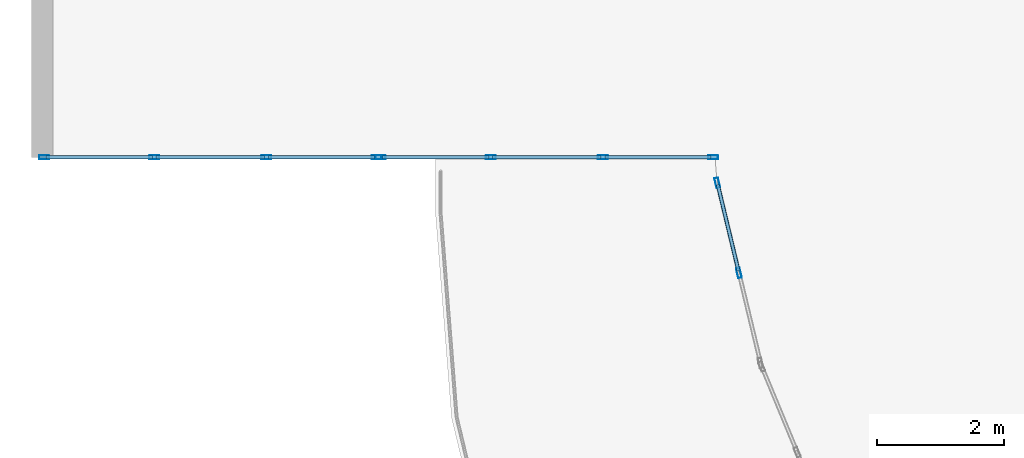
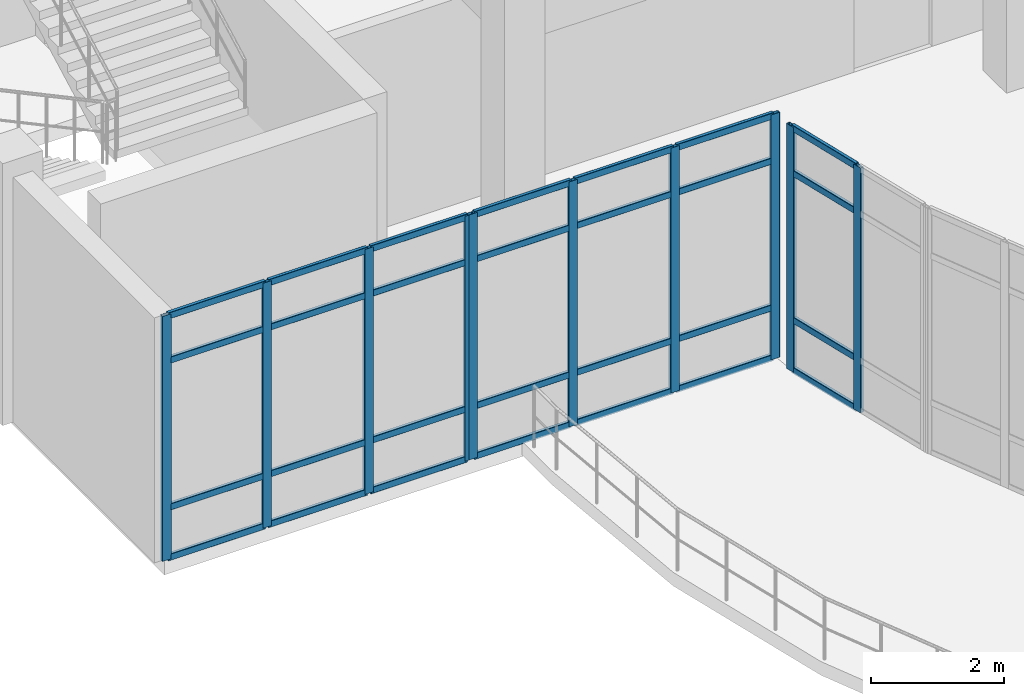
# One storey, part 5 of 76: 38 members, 3 elements without a shape of their own.
"""IFC4 building model written with IfcOpenShell, lengths in metres."""

import ifcopenshell
import ifcopenshell.guid

model = None  # the IFC model being written
_history = None  # IfcOwnerHistory: only IFC2X3 demands one
_inside = {}  # id of a spatial element -> (the spatial element, [elements in it])
_under = {}  # id of a project, library or spatial element -> (it, [spatial elements below it])
_declared = {}  # id of a project -> (the project, [libraries it declares])
_typed = {}  # id of a type object -> (the type object, [elements of that type])
_made_of = {}  # id of a material, layer set ... -> (it, [elements and type objects made of it])


def new_model(schema):
    """Start an empty IFC model of exactly this schema.

    Asked for "IFC4X3", IfcOpenShell would pick the latest addendum, in which some entities
    have other attributes; the version numbers below select the first issue.
    IFC2X3 requires an IfcOwnerHistory on every rooted entity: one is made here for all.
    """
    global model, _history
    if schema == "IFC4X3":
        model = ifcopenshell.file(schema_version=(4, 3, 0, 0))
    else:
        model = ifcopenshell.file(schema=schema)
    _inside.clear()
    _under.clear()
    _declared.clear()
    _typed.clear()
    _made_of.clear()
    _history = None
    if model.schema == "IFC2X3":
        org = make("IfcOrganization", Name="unknown")
        user = make(
            "IfcPersonAndOrganization",
            ThePerson=make("IfcPerson", FamilyName="unknown"),
            TheOrganization=org,
        )
        app = make(
            "IfcApplication",
            ApplicationDeveloper=org,
            Version="unknown",
            ApplicationFullName="unknown",
            ApplicationIdentifier="unknown",
        )
        _history = make(
            "IfcOwnerHistory",
            OwningUser=user,
            OwningApplication=app,
            ChangeAction="ADDED",
            CreationDate=0,
        )
    return model


def make(cls, **values):
    """One entity of the class cls with the attributes given. An attribute that is None is left unset."""
    return model.create_entity(
        cls, **{name: value for name, value in values.items() if value is not None}
    )


def rooted(cls, **values):
    """An entity with a GlobalId (a new one), such as an element, a storey or a relation."""
    return make(cls, GlobalId=ifcopenshell.guid.new(), OwnerHistory=_history, **values)


def si_unit(unit_type, name, prefix=None):
    """IfcSIUnit, for example si_unit("LENGTHUNIT", "METRE", prefix="MILLI")."""
    return make("IfcSIUnit", UnitType=unit_type, Prefix=prefix, Name=name)


def derived_unit(unit_type, elements):
    """IfcDerivedUnit: a product of units, each with its exponent."""
    return make(
        "IfcDerivedUnit",
        Elements=[
            make("IfcDerivedUnitElement", Unit=unit, Exponent=power)
            for unit, power in elements
        ],
        UnitType=unit_type,
    )


def assignment(units):
    """IfcUnitAssignment: the units of a project."""
    return None if units is None else make("IfcUnitAssignment", Units=units)


def point(xyz):
    """IfcCartesianPoint."""
    return None if xyz is None else make("IfcCartesianPoint", Coordinates=xyz)


def direction(xyz):
    """IfcDirection."""
    return None if xyz is None else make("IfcDirection", DirectionRatios=xyz)


def frame(location, z_axis=None, x_axis=None):
    """IfcAxis2Placement3D, a coordinate frame: its origin and axes. An axis left out is left unset."""
    return make(
        "IfcAxis2Placement3D",
        Location=point(location),
        Axis=direction(z_axis),
        RefDirection=direction(x_axis),
    )


def frame_2d(location, x_axis=None):
    """IfcAxis2Placement2D, a coordinate frame in the plane: its origin and x axis."""
    return make(
        "IfcAxis2Placement2D", Location=point(location), RefDirection=direction(x_axis)
    )


def origin():
    """The frame at (0, 0, 0) with its axes left unset."""
    return frame((0.0, 0.0, 0.0))


def origin_2d():
    """The frame at (0, 0) in the plane with its x axis left unset."""
    return frame_2d((0.0, 0.0))


def place(relative_to, where):
    """IfcLocalPlacement: puts the frame where relative to a parent placement (None: the world)."""
    return make(
        "IfcLocalPlacement", PlacementRelTo=relative_to, RelativePlacement=where
    )


def context(
    kind, dimensions, precision=None, world=None, true_north=None, identifier=None
):
    """IfcGeometricRepresentationContext, for example the 3D "Model" context."""
    return make(
        "IfcGeometricRepresentationContext",
        ContextIdentifier=identifier,
        ContextType=kind,
        CoordinateSpaceDimension=dimensions,
        Precision=precision,
        WorldCoordinateSystem=world,
        TrueNorth=true_north,
    )


def subcontext(parent, identifier, kind, view, scale=None):
    """IfcGeometricRepresentationSubContext, for example "Body" below "Model"."""
    return make(
        "IfcGeometricRepresentationSubContext",
        ContextIdentifier=identifier,
        ContextType=kind,
        ParentContext=parent,
        TargetScale=scale,
        TargetView=view,
    )


def project(units=None, contexts=None):
    """IfcProject with its units and contexts."""
    return rooted(
        "IfcProject",
        Name="project",
        RepresentationContexts=contexts,
        UnitsInContext=assignment(units),
    )


def spatial(cls, under=None, at=None, **own):
    """A site, building, storey or space (cls), placed at a placement, below another one or the project."""
    s = rooted(cls, ObjectPlacement=at, **own)
    if under is not None:
        _under.setdefault(under.id(), (under, []))[1].append(s)
    return s


def profile(cls, at=None, kind="AREA", **sizes):
    """A parametric profile (cls). Its sizes go by their IFC names, for example OverallWidth=200.0."""
    return make(cls, ProfileType=kind, Position=at, **sizes)


def hollow_rectangle(**sizes):
    """IfcRectangleHollowProfileDef."""
    return profile("IfcRectangleHollowProfileDef", **sizes)


def extrude(swept, where, along, depth):
    """IfcExtrudedAreaSolid: the profile swept, set in the frame where, extruded along a direction by depth."""
    return make(
        "IfcExtrudedAreaSolid",
        SweptArea=swept,
        Position=where,
        ExtrudedDirection=direction(along),
        Depth=depth,
    )


def shape(context_of_items, identifier, shape_type, items):
    """IfcShapeRepresentation: the items that make up one representation, for example the "Body"."""
    return make(
        "IfcShapeRepresentation",
        ContextOfItems=context_of_items,
        RepresentationIdentifier=identifier,
        RepresentationType=shape_type,
        Items=items,
    )


def material(Name=None, Category=None):
    """IfcMaterial."""
    return make("IfcMaterial", Name=Name, Category=Category)


def layer(
    of_material, thickness, ventilated=None, Name=None, Category=None, Priority=None
):
    """IfcMaterialLayer: one layer of a wall or slab, of a material (None: an air gap)."""
    return make(
        "IfcMaterialLayer",
        Material=of_material,
        LayerThickness=thickness,
        IsVentilated=ventilated,
        Name=Name,
        Category=Category,
        Priority=Priority,
    )


def layer_set(layers, Name=None):
    """IfcMaterialLayerSet."""
    return make("IfcMaterialLayerSet", MaterialLayers=layers, LayerSetName=Name)


def material_profile(
    of_material, cross_section, Name=None, Category=None, Priority=None
):
    """IfcMaterialProfile: a cross section and its material."""
    return make(
        "IfcMaterialProfile",
        Name=Name,
        Material=of_material,
        Profile=cross_section,
        Priority=Priority,
        Category=Category,
    )


def profile_set(profiles, Name=None, composite=None):
    """IfcMaterialProfileSet."""
    return make(
        "IfcMaterialProfileSet",
        Name=Name,
        MaterialProfiles=profiles,
        CompositeProfile=composite,
    )


def made_of(thing, what):
    """Note that an element or type object is made of a material, layer set ...; save() writes the relation."""
    if what is not None:
        _made_of.setdefault(what.id(), (what, []))[1].append(thing)
    return thing


def type_object(cls, material=None, **own):
    """A type object (cls), such as IfcWallType, which elements share."""
    return made_of(rooted(cls, **own), material)


def element(
    cls,
    number,
    at=None,
    inside=None,
    cuts=None,
    type_object=None,
    material=None,
    context=None,
    identifier="Body",
    shape_type=None,
    held_by="IfcProductDefinitionShape",
    body=None,
    shapes=None,
    **own,
):
    """One element of the class cls, such as IfcWall. Its Tag is "e" and its number.

    at: its placement. inside: the storey or other place that contains it. cuts: it is an
    opening in that element (IfcRelVoidsElement). A single representation is given by context,
    identifier, shape_type and body (its items); several are given by shapes. held_by: the class
    of the entity that holds the representations. save() writes the other relations.
    """
    e = rooted(cls, Tag="e%d" % number, ObjectPlacement=at, **own)
    if body is not None:
        shapes = [shape(context, identifier, shape_type, body)]
    if shapes is not None:
        e.Representation = make(held_by, Representations=shapes)
    if inside is not None:
        _inside.setdefault(inside.id(), (inside, []))[1].append(e)
    if cuts is not None:
        rooted(
            "IfcRelVoidsElement", RelatingBuildingElement=cuts, RelatedOpeningElement=e
        )
    if type_object is not None:
        _typed.setdefault(type_object.id(), (type_object, []))[1].append(e)
    return made_of(e, material)


def aggregate(whole, parts):
    """IfcRelAggregates: a whole, such as a stair, and the parts it consists of."""
    return rooted("IfcRelAggregates", RelatingObject=whole, RelatedObjects=parts)


def save(model, path):
    """Write the relations noted so far, then the file.

    IfcRelAggregates (storeys below a building ...), IfcRelContainedInSpatialStructure (elements
    in a storey), IfcRelDefinesByType, IfcRelAssociatesMaterial and IfcRelDeclares: one each for
    every whole, place, type object, material and project.
    """
    for whole, parts in _under.values():
        aggregate(whole, parts)
    for where, things in _inside.values():
        rooted(
            "IfcRelContainedInSpatialStructure",
            RelatedElements=things,
            RelatingStructure=where,
        )
    for kind, things in _typed.values():
        rooted("IfcRelDefinesByType", RelatedObjects=things, RelatingType=kind)
    for what, things in _made_of.values():
        rooted("IfcRelAssociatesMaterial", RelatedObjects=things, RelatingMaterial=what)
    for by, libraries in _declared.values():
        rooted("IfcRelDeclares", RelatingContext=by, RelatedDefinitions=libraries)
    model.write(path)


model = new_model("IFC4")

# Units and contexts
model_context = context("Model", 3, precision=1e-05, world=origin(), true_north=direction((0.0, 1.0)))
body_context = subcontext(model_context, "Body", "Model", "MODEL_VIEW")
ifc_project = project(units=[si_unit("LENGTHUNIT", "METRE"), si_unit("AREAUNIT", "SQUARE_METRE"), si_unit("VOLUMEUNIT", "CUBIC_METRE"), si_unit("PLANEANGLEUNIT", "RADIAN"), si_unit("MASSUNIT", "GRAM", prefix="KILO"), derived_unit("THERMALTRANSMITTANCEUNIT", [(si_unit("MASSUNIT", "GRAM", prefix="KILO"), 1), (si_unit("TIMEUNIT", "SECOND"), -3), (si_unit("THERMODYNAMICTEMPERATUREUNIT", "KELVIN"), -1)])], contexts=[model_context])

# Site, building, storey
site_placement = place(None, origin())
site = spatial("IfcSite", under=ifc_project, at=site_placement, CompositionType="ELEMENT")
building_placement = place(site_placement, origin())
building = spatial("IfcBuilding", under=site, at=building_placement, Name="Qinzheling Arcade Emporium", CompositionType="ELEMENT")
storey_placement = place(building_placement, frame((0.0, 0.0, 26.699951171875)))
storey = spatial("IfcBuildingStorey", under=building, at=storey_placement, Name="L06", CompositionType="ELEMENT", Elevation=26.699951171875)

# Curtain wall, members
ifc_material_1 = material(Name="Anodised aluminium and solar-control double glazing", Category="aluminium")
ifc_layer_1 = layer(ifc_material_1, 0.159912109375, Name="Anodised aluminium and solar-control double glazing", Category="aluminium")
ifc_layer_set_1 = layer_set([ifc_layer_1], Name="Anodised aluminium and solar-control double glazing")
curtain_wall_type_1 = type_object("IfcCurtainWallType", Name="Curved Ribbon Sales Curtain Wall", PredefinedType="NOTDEFINED", material=ifc_layer_set_1)
curtain_wall_1_placement = place(storey_placement, origin())
curtain_wall_1 = element("IfcCurtainWall", 1, at=curtain_wall_1_placement, inside=storey, type_object=curtain_wall_type_1, Name="Curtain Wall CW-L06-358", PredefinedType="NOTDEFINED")
ifc_material_2 = material(Name="Anodised aluminium 6063-T6", Category="aluminium")
ifc_material_profile_1 = material_profile(ifc_material_2, hollow_rectangle(XDim=0.06005859375, YDim=0.159912109375, WallThickness=0.00390625, InnerFilletRadius=0.00390625, OuterFilletRadius=0.008056640625, at=origin_2d()), Name="RHS 160x60x4", Category="aluminium")
ifc_profile_set_1 = profile_set([ifc_material_profile_1], Name="Anodised aluminium 6063-T6")
member_type_1 = type_object("IfcMemberType", Name="Curtain Wall Mullion RHS160x60", PredefinedType="MULLION", material=ifc_profile_set_1)
member_1_placement = place(storey_placement, frame((10.98193359375, 27.178466796875, 0.0), z_axis=(0.0, 0.0, 1.0), x_axis=(-0.972369031298, -0.233449067193, 0.0)))
member_1 = element("IfcMember", 2, at=member_1_placement, type_object=member_type_1, Name="CW02 mullion 2", PredefinedType="MULLION", context=body_context, shape_type="SweptSolid", body=[
    extrude(hollow_rectangle(XDim=0.06005859375, YDim=0.159912109375, WallThickness=0.00390625, InnerFilletRadius=0.00390625, OuterFilletRadius=0.008056640625, at=origin_2d()), origin(), (0.0, 0.0, 1.0), 4.489990234375),
])
member_2_placement = place(storey_placement, frame((10.64111328125, 28.598876953125, 0.0), z_axis=(0.0, 0.0, 1.0), x_axis=(-0.972369031298, -0.233449067193, 0.0)))
member_2 = element("IfcMember", 3, at=member_2_placement, type_object=member_type_1, Name="CW02 mullion 3", PredefinedType="MULLION", context=body_context, shape_type="SweptSolid", body=[
    extrude(hollow_rectangle(XDim=0.06005859375, YDim=0.159912109375, WallThickness=0.00390625, InnerFilletRadius=0.00390625, OuterFilletRadius=0.008056640625, at=origin_2d()), origin(), (0.0, 0.0, 1.0), 4.489990234375),
])

ifc_layer_2 = layer(ifc_material_1, 0.159912109375, Name="Anodised aluminium and solar-control double glazing", Category="aluminium")
ifc_layer_set_2 = layer_set([ifc_layer_2], Name="Anodised aluminium and solar-control double glazing")
curtain_wall_type_2 = type_object("IfcCurtainWallType", Name="Arcade Portal Glazed Curtain Wall", PredefinedType="NOTDEFINED", material=ifc_layer_set_2)
curtain_wall_2_placement = place(storey_placement, origin())
curtain_wall_2 = element("IfcCurtainWall", 4, at=curtain_wall_2_placement, inside=storey, type_object=curtain_wall_type_2, Name="Curtain Wall CW-L06-359", PredefinedType="NOTDEFINED")
member_3_placement = place(storey_placement, frame((10.574951171875, 29.0, 0.0), z_axis=(0.0, 0.0, 1.0), x_axis=(0.0, -1.0, 0.0)))
member_3 = element("IfcMember", 5, at=member_3_placement, type_object=member_type_1, Name="CW05 mullion 1", PredefinedType="MULLION", context=body_context, shape_type="SweptSolid", body=[
    extrude(hollow_rectangle(XDim=0.06005859375, YDim=0.159912109375, WallThickness=0.00390625, InnerFilletRadius=0.00390625, OuterFilletRadius=0.008056640625, at=origin_2d()), origin(), (0.0, 0.0, 1.0), 4.489990234375),
])
member_4_placement = place(storey_placement, frame((8.837890625, 29.0, 0.0), z_axis=(0.0, 0.0, 1.0), x_axis=(0.0, -1.0, 0.0)))
member_4 = element("IfcMember", 6, at=member_4_placement, type_object=member_type_1, Name="CW05 mullion 2", PredefinedType="MULLION", context=body_context, shape_type="SweptSolid", body=[
    extrude(hollow_rectangle(XDim=0.06005859375, YDim=0.159912109375, WallThickness=0.00390625, InnerFilletRadius=0.00390625, OuterFilletRadius=0.008056640625, at=origin_2d()), origin(), (0.0, 0.0, 1.0), 4.489990234375),
])
member_5_placement = place(storey_placement, frame((7.071044921875, 29.0, 0.0), z_axis=(0.0, 0.0, 1.0), x_axis=(0.0, -1.0, 0.0)))
member_5 = element("IfcMember", 7, at=member_5_placement, type_object=member_type_1, Name="CW05 mullion 3", PredefinedType="MULLION", context=body_context, shape_type="SweptSolid", body=[
    extrude(hollow_rectangle(XDim=0.06005859375, YDim=0.159912109375, WallThickness=0.00390625, InnerFilletRadius=0.00390625, OuterFilletRadius=0.008056640625, at=origin_2d()), origin(), (0.0, 0.0, 1.0), 4.489990234375),
])
member_6_placement = place(storey_placement, frame((5.333984375, 29.0, 0.0), z_axis=(0.0, 0.0, 1.0), x_axis=(0.0, -1.0, 0.0)))
member_6 = element("IfcMember", 8, at=member_6_placement, type_object=member_type_1, Name="CW05 mullion 4", PredefinedType="MULLION", context=body_context, shape_type="SweptSolid", body=[
    extrude(hollow_rectangle(XDim=0.06005859375, YDim=0.159912109375, WallThickness=0.00390625, InnerFilletRadius=0.00390625, OuterFilletRadius=0.008056640625, at=origin_2d()), origin(), (0.0, 0.0, 1.0), 4.489990234375),
])

curtain_wall_3_placement = place(storey_placement, origin())
curtain_wall_3 = element("IfcCurtainWall", 9, at=curtain_wall_3_placement, inside=storey, type_object=curtain_wall_type_2, Name="Curtain Wall CW-L06-360", PredefinedType="NOTDEFINED")
member_7_placement = place(storey_placement, frame((5.27099609375, 29.0, 0.0), z_axis=(0.0, 0.0, 1.0), x_axis=(0.0, -1.0, 0.0)))
member_7 = element("IfcMember", 10, at=member_7_placement, type_object=member_type_1, Name="CW05 mullion 1", PredefinedType="MULLION", context=body_context, shape_type="SweptSolid", body=[
    extrude(hollow_rectangle(XDim=0.06005859375, YDim=0.159912109375, WallThickness=0.00390625, InnerFilletRadius=0.00390625, OuterFilletRadius=0.008056640625, at=origin_2d()), origin(), (0.0, 0.0, 1.0), 4.489990234375),
])
member_8_placement = place(storey_placement, frame((3.533935546875, 29.0, 0.0), z_axis=(0.0, 0.0, 1.0), x_axis=(0.0, -1.0, 0.0)))
member_8 = element("IfcMember", 11, at=member_8_placement, type_object=member_type_1, Name="CW05 mullion 2", PredefinedType="MULLION", context=body_context, shape_type="SweptSolid", body=[
    extrude(hollow_rectangle(XDim=0.06005859375, YDim=0.159912109375, WallThickness=0.00390625, InnerFilletRadius=0.00390625, OuterFilletRadius=0.008056640625, at=origin_2d()), origin(), (0.0, 0.0, 1.0), 4.489990234375),
])
member_9_placement = place(storey_placement, frame((1.76708984375, 29.0, 0.0), z_axis=(0.0, 0.0, 1.0), x_axis=(0.0, -1.0, 0.0)))
member_9 = element("IfcMember", 12, at=member_9_placement, type_object=member_type_1, Name="CW05 mullion 3", PredefinedType="MULLION", context=body_context, shape_type="SweptSolid", body=[
    extrude(hollow_rectangle(XDim=0.06005859375, YDim=0.159912109375, WallThickness=0.00390625, InnerFilletRadius=0.00390625, OuterFilletRadius=0.008056640625, at=origin_2d()), origin(), (0.0, 0.0, 1.0), 4.489990234375),
])
member_10_placement = place(storey_placement, frame((0.030029296875, 29.0, 0.0), z_axis=(0.0, 0.0, 1.0), x_axis=(0.0, -1.0, 0.0)))
member_10 = element("IfcMember", 13, at=member_10_placement, type_object=member_type_1, Name="CW05 mullion 4", PredefinedType="MULLION", context=body_context, shape_type="SweptSolid", body=[
    extrude(hollow_rectangle(XDim=0.06005859375, YDim=0.159912109375, WallThickness=0.00390625, InnerFilletRadius=0.00390625, OuterFilletRadius=0.008056640625, at=origin_2d()), origin(), (0.0, 0.0, 1.0), 4.489990234375),
])

# Member
ifc_material_profile_2 = material_profile(ifc_material_2, hollow_rectangle(XDim=0.06005859375, YDim=0.1201171875, WallThickness=0.00390625, InnerFilletRadius=0.00390625, OuterFilletRadius=0.008056640625, at=origin_2d()), Name="RHS 120x60x4", Category="aluminium")
ifc_profile_set_2 = profile_set([ifc_material_profile_2], Name="Anodised aluminium 6063-T6")
member_type_2 = type_object("IfcMemberType", Name="Curtain Wall Transom RHS120x60", PredefinedType="USERDEFINED", material=ifc_profile_set_2)
member_11_placement = place(storey_placement, frame((10.97509765625, 27.207763671875, 0.030029296875), z_axis=(-0.233583919882, 0.972336645598, 0.0), x_axis=(-0.972336645598, -0.233583919882, 0.0)))
member_11 = element("IfcMember", 14, at=member_11_placement, type_object=member_type_2, Name="CW02 transom 2.1", ObjectType="TRANSOM", PredefinedType="USERDEFINED", context=body_context, shape_type="SweptSolid", body=[
    extrude(hollow_rectangle(XDim=0.06005859375, YDim=0.1201171875, WallThickness=0.00390625, InnerFilletRadius=0.00390625, OuterFilletRadius=0.008056640625, at=origin_2d()), origin(), (0.0, 0.0, 1.0), 1.400634765625),
])

member_12_placement = place(storey_placement, frame((10.97509765625, 27.207763671875, 0.949951171875), z_axis=(-0.233583919882, 0.972336645598, 0.0), x_axis=(-0.972336645598, -0.233583919882, 0.0)))
member_12 = element("IfcMember", 15, at=member_12_placement, type_object=member_type_2, Name="CW02 transom 2.2", ObjectType="TRANSOM", PredefinedType="USERDEFINED", context=body_context, shape_type="SweptSolid", body=[
    extrude(hollow_rectangle(XDim=0.06005859375, YDim=0.1201171875, WallThickness=0.00390625, InnerFilletRadius=0.00390625, OuterFilletRadius=0.008056640625, at=origin_2d()), origin(), (0.0, 0.0, 1.0), 1.400634765625),
])

member_13_placement = place(storey_placement, frame((10.97509765625, 27.207763671875, 3.64013671875), z_axis=(-0.233583919882, 0.972336645598, 0.0), x_axis=(-0.972336645598, -0.233583919882, 0.0)))
member_13 = element("IfcMember", 16, at=member_13_placement, type_object=member_type_2, Name="CW02 transom 2.3", ObjectType="TRANSOM", PredefinedType="USERDEFINED", context=body_context, shape_type="SweptSolid", body=[
    extrude(hollow_rectangle(XDim=0.06005859375, YDim=0.1201171875, WallThickness=0.00390625, InnerFilletRadius=0.00390625, OuterFilletRadius=0.008056640625, at=origin_2d()), origin(), (0.0, 0.0, 1.0), 1.400634765625),
])

member_14_placement = place(storey_placement, frame((10.97509765625, 27.207763671875, 4.4599609375), z_axis=(-0.233583919882, 0.972336645598, 0.0), x_axis=(-0.972336645598, -0.233583919882, 0.0)))
member_14 = element("IfcMember", 17, at=member_14_placement, type_object=member_type_2, Name="CW02 transom 2.4", ObjectType="TRANSOM", PredefinedType="USERDEFINED", context=body_context, shape_type="SweptSolid", body=[
    extrude(hollow_rectangle(XDim=0.06005859375, YDim=0.1201171875, WallThickness=0.00390625, InnerFilletRadius=0.00390625, OuterFilletRadius=0.008056640625, at=origin_2d()), origin(), (0.0, 0.0, 1.0), 1.400634765625),
])

aggregate(curtain_wall_1, [member_1, member_2, member_11, member_12, member_13, member_14])

member_15_placement = place(storey_placement, frame((10.544921875, 29.0, 0.030029296875), z_axis=(-1.0, 0.0, 0.0), x_axis=(0.0, -1.0, 0.0)))
member_15 = element("IfcMember", 18, at=member_15_placement, type_object=member_type_2, Name="CW05 transom 1.1", ObjectType="TRANSOM", PredefinedType="USERDEFINED", context=body_context, shape_type="SweptSolid", body=[
    extrude(hollow_rectangle(XDim=0.06005859375, YDim=0.1201171875, WallThickness=0.00390625, InnerFilletRadius=0.00390625, OuterFilletRadius=0.008056640625, at=origin_2d()), origin(), (0.0, 0.0, 1.0), 1.677001953125),
])

member_16_placement = place(storey_placement, frame((10.544921875, 29.0, 0.949951171875), z_axis=(-1.0, 0.0, 0.0), x_axis=(0.0, -1.0, 0.0)))
member_16 = element("IfcMember", 19, at=member_16_placement, type_object=member_type_2, Name="CW05 transom 1.2", ObjectType="TRANSOM", PredefinedType="USERDEFINED", context=body_context, shape_type="SweptSolid", body=[
    extrude(hollow_rectangle(XDim=0.06005859375, YDim=0.1201171875, WallThickness=0.00390625, InnerFilletRadius=0.00390625, OuterFilletRadius=0.008056640625, at=origin_2d()), origin(), (0.0, 0.0, 1.0), 1.677001953125),
])

member_17_placement = place(storey_placement, frame((10.544921875, 29.0, 3.64013671875), z_axis=(-1.0, 0.0, 0.0), x_axis=(0.0, -1.0, 0.0)))
member_17 = element("IfcMember", 20, at=member_17_placement, type_object=member_type_2, Name="CW05 transom 1.3", ObjectType="TRANSOM", PredefinedType="USERDEFINED", context=body_context, shape_type="SweptSolid", body=[
    extrude(hollow_rectangle(XDim=0.06005859375, YDim=0.1201171875, WallThickness=0.00390625, InnerFilletRadius=0.00390625, OuterFilletRadius=0.008056640625, at=origin_2d()), origin(), (0.0, 0.0, 1.0), 1.677001953125),
])

member_18_placement = place(storey_placement, frame((10.544921875, 29.0, 4.4599609375), z_axis=(-1.0, 0.0, 0.0), x_axis=(0.0, -1.0, 0.0)))
member_18 = element("IfcMember", 21, at=member_18_placement, type_object=member_type_2, Name="CW05 transom 1.4", ObjectType="TRANSOM", PredefinedType="USERDEFINED", context=body_context, shape_type="SweptSolid", body=[
    extrude(hollow_rectangle(XDim=0.06005859375, YDim=0.1201171875, WallThickness=0.00390625, InnerFilletRadius=0.00390625, OuterFilletRadius=0.008056640625, at=origin_2d()), origin(), (0.0, 0.0, 1.0), 1.677001953125),
])

member_19_placement = place(storey_placement, frame((8.80810546875, 29.0, 0.030029296875), z_axis=(-1.0, 0.0, 0.0), x_axis=(0.0, -1.0, 0.0)))
member_19 = element("IfcMember", 22, at=member_19_placement, type_object=member_type_2, Name="CW05 transom 2.1", ObjectType="TRANSOM", PredefinedType="USERDEFINED", context=body_context, shape_type="SweptSolid", body=[
    extrude(hollow_rectangle(XDim=0.06005859375, YDim=0.1201171875, WallThickness=0.00390625, InnerFilletRadius=0.00390625, OuterFilletRadius=0.008056640625, at=origin_2d()), origin(), (0.0, 0.0, 1.0), 1.70703125),
])

member_20_placement = place(storey_placement, frame((8.80810546875, 29.0, 0.949951171875), z_axis=(-1.0, 0.0, 0.0), x_axis=(0.0, -1.0, 0.0)))
member_20 = element("IfcMember", 23, at=member_20_placement, type_object=member_type_2, Name="CW05 transom 2.2", ObjectType="TRANSOM", PredefinedType="USERDEFINED", context=body_context, shape_type="SweptSolid", body=[
    extrude(hollow_rectangle(XDim=0.06005859375, YDim=0.1201171875, WallThickness=0.00390625, InnerFilletRadius=0.00390625, OuterFilletRadius=0.008056640625, at=origin_2d()), origin(), (0.0, 0.0, 1.0), 1.70703125),
])

member_21_placement = place(storey_placement, frame((8.80810546875, 29.0, 3.64013671875), z_axis=(-1.0, 0.0, 0.0), x_axis=(0.0, -1.0, 0.0)))
member_21 = element("IfcMember", 24, at=member_21_placement, type_object=member_type_2, Name="CW05 transom 2.3", ObjectType="TRANSOM", PredefinedType="USERDEFINED", context=body_context, shape_type="SweptSolid", body=[
    extrude(hollow_rectangle(XDim=0.06005859375, YDim=0.1201171875, WallThickness=0.00390625, InnerFilletRadius=0.00390625, OuterFilletRadius=0.008056640625, at=origin_2d()), origin(), (0.0, 0.0, 1.0), 1.70703125),
])

member_22_placement = place(storey_placement, frame((8.80810546875, 29.0, 4.4599609375), z_axis=(-1.0, 0.0, 0.0), x_axis=(0.0, -1.0, 0.0)))
member_22 = element("IfcMember", 25, at=member_22_placement, type_object=member_type_2, Name="CW05 transom 2.4", ObjectType="TRANSOM", PredefinedType="USERDEFINED", context=body_context, shape_type="SweptSolid", body=[
    extrude(hollow_rectangle(XDim=0.06005859375, YDim=0.1201171875, WallThickness=0.00390625, InnerFilletRadius=0.00390625, OuterFilletRadius=0.008056640625, at=origin_2d()), origin(), (0.0, 0.0, 1.0), 1.70703125),
])

member_23_placement = place(storey_placement, frame((7.041015625, 29.0, 0.030029296875), z_axis=(-1.0, 0.0, 0.0), x_axis=(0.0, -1.0, 0.0)))
member_23 = element("IfcMember", 26, at=member_23_placement, type_object=member_type_2, Name="CW05 transom 3.1", ObjectType="TRANSOM", PredefinedType="USERDEFINED", context=body_context, shape_type="SweptSolid", body=[
    extrude(hollow_rectangle(XDim=0.06005859375, YDim=0.1201171875, WallThickness=0.00390625, InnerFilletRadius=0.00390625, OuterFilletRadius=0.008056640625, at=origin_2d()), origin(), (0.0, 0.0, 1.0), 1.677001953125),
])

member_24_placement = place(storey_placement, frame((7.041015625, 29.0, 0.949951171875), z_axis=(-1.0, 0.0, 0.0), x_axis=(0.0, -1.0, 0.0)))
member_24 = element("IfcMember", 27, at=member_24_placement, type_object=member_type_2, Name="CW05 transom 3.2", ObjectType="TRANSOM", PredefinedType="USERDEFINED", context=body_context, shape_type="SweptSolid", body=[
    extrude(hollow_rectangle(XDim=0.06005859375, YDim=0.1201171875, WallThickness=0.00390625, InnerFilletRadius=0.00390625, OuterFilletRadius=0.008056640625, at=origin_2d()), origin(), (0.0, 0.0, 1.0), 1.677001953125),
])

member_25_placement = place(storey_placement, frame((7.041015625, 29.0, 3.64013671875), z_axis=(-1.0, 0.0, 0.0), x_axis=(0.0, -1.0, 0.0)))
member_25 = element("IfcMember", 28, at=member_25_placement, type_object=member_type_2, Name="CW05 transom 3.3", ObjectType="TRANSOM", PredefinedType="USERDEFINED", context=body_context, shape_type="SweptSolid", body=[
    extrude(hollow_rectangle(XDim=0.06005859375, YDim=0.1201171875, WallThickness=0.00390625, InnerFilletRadius=0.00390625, OuterFilletRadius=0.008056640625, at=origin_2d()), origin(), (0.0, 0.0, 1.0), 1.677001953125),
])

member_26_placement = place(storey_placement, frame((7.041015625, 29.0, 4.4599609375), z_axis=(-1.0, 0.0, 0.0), x_axis=(0.0, -1.0, 0.0)))
member_26 = element("IfcMember", 29, at=member_26_placement, type_object=member_type_2, Name="CW05 transom 3.4", ObjectType="TRANSOM", PredefinedType="USERDEFINED", context=body_context, shape_type="SweptSolid", body=[
    extrude(hollow_rectangle(XDim=0.06005859375, YDim=0.1201171875, WallThickness=0.00390625, InnerFilletRadius=0.00390625, OuterFilletRadius=0.008056640625, at=origin_2d()), origin(), (0.0, 0.0, 1.0), 1.677001953125),
])

aggregate(curtain_wall_2, [member_3, member_4, member_5, member_6, member_15, member_16, member_17, member_18, member_19, member_20, member_21, member_22, member_23, member_24, member_25, member_26])

member_27_placement = place(storey_placement, frame((5.240966796875, 29.0, 0.030029296875), z_axis=(-1.0, 0.0, 0.0), x_axis=(0.0, -1.0, 0.0)))
member_27 = element("IfcMember", 30, at=member_27_placement, type_object=member_type_2, Name="CW05 transom 1.1", ObjectType="TRANSOM", PredefinedType="USERDEFINED", context=body_context, shape_type="SweptSolid", body=[
    extrude(hollow_rectangle(XDim=0.06005859375, YDim=0.1201171875, WallThickness=0.00390625, InnerFilletRadius=0.00390625, OuterFilletRadius=0.008056640625, at=origin_2d()), origin(), (0.0, 0.0, 1.0), 1.677001953125),
])

member_28_placement = place(storey_placement, frame((5.240966796875, 29.0, 0.949951171875), z_axis=(-1.0, 0.0, 0.0), x_axis=(0.0, -1.0, 0.0)))
member_28 = element("IfcMember", 31, at=member_28_placement, type_object=member_type_2, Name="CW05 transom 1.2", ObjectType="TRANSOM", PredefinedType="USERDEFINED", context=body_context, shape_type="SweptSolid", body=[
    extrude(hollow_rectangle(XDim=0.06005859375, YDim=0.1201171875, WallThickness=0.00390625, InnerFilletRadius=0.00390625, OuterFilletRadius=0.008056640625, at=origin_2d()), origin(), (0.0, 0.0, 1.0), 1.677001953125),
])

member_29_placement = place(storey_placement, frame((5.240966796875, 29.0, 3.64013671875), z_axis=(-1.0, 0.0, 0.0), x_axis=(0.0, -1.0, 0.0)))
member_29 = element("IfcMember", 32, at=member_29_placement, type_object=member_type_2, Name="CW05 transom 1.3", ObjectType="TRANSOM", PredefinedType="USERDEFINED", context=body_context, shape_type="SweptSolid", body=[
    extrude(hollow_rectangle(XDim=0.06005859375, YDim=0.1201171875, WallThickness=0.00390625, InnerFilletRadius=0.00390625, OuterFilletRadius=0.008056640625, at=origin_2d()), origin(), (0.0, 0.0, 1.0), 1.677001953125),
])

member_30_placement = place(storey_placement, frame((5.240966796875, 29.0, 4.4599609375), z_axis=(-1.0, 0.0, 0.0), x_axis=(0.0, -1.0, 0.0)))
member_30 = element("IfcMember", 33, at=member_30_placement, type_object=member_type_2, Name="CW05 transom 1.4", ObjectType="TRANSOM", PredefinedType="USERDEFINED", context=body_context, shape_type="SweptSolid", body=[
    extrude(hollow_rectangle(XDim=0.06005859375, YDim=0.1201171875, WallThickness=0.00390625, InnerFilletRadius=0.00390625, OuterFilletRadius=0.008056640625, at=origin_2d()), origin(), (0.0, 0.0, 1.0), 1.677001953125),
])

member_31_placement = place(storey_placement, frame((3.50390625, 29.0, 0.030029296875), z_axis=(-1.0, 0.0, 0.0), x_axis=(0.0, -1.0, 0.0)))
member_31 = element("IfcMember", 34, at=member_31_placement, type_object=member_type_2, Name="CW05 transom 2.1", ObjectType="TRANSOM", PredefinedType="USERDEFINED", context=body_context, shape_type="SweptSolid", body=[
    extrude(hollow_rectangle(XDim=0.06005859375, YDim=0.1201171875, WallThickness=0.00390625, InnerFilletRadius=0.00390625, OuterFilletRadius=0.008056640625, at=origin_2d()), origin(), (0.0, 0.0, 1.0), 1.706787109375),
])

member_32_placement = place(storey_placement, frame((3.50390625, 29.0, 0.949951171875), z_axis=(-1.0, 0.0, 0.0), x_axis=(0.0, -1.0, 0.0)))
member_32 = element("IfcMember", 35, at=member_32_placement, type_object=member_type_2, Name="CW05 transom 2.2", ObjectType="TRANSOM", PredefinedType="USERDEFINED", context=body_context, shape_type="SweptSolid", body=[
    extrude(hollow_rectangle(XDim=0.06005859375, YDim=0.1201171875, WallThickness=0.00390625, InnerFilletRadius=0.00390625, OuterFilletRadius=0.008056640625, at=origin_2d()), origin(), (0.0, 0.0, 1.0), 1.706787109375),
])

member_33_placement = place(storey_placement, frame((3.50390625, 29.0, 3.64013671875), z_axis=(-1.0, 0.0, 0.0), x_axis=(0.0, -1.0, 0.0)))
member_33 = element("IfcMember", 36, at=member_33_placement, type_object=member_type_2, Name="CW05 transom 2.3", ObjectType="TRANSOM", PredefinedType="USERDEFINED", context=body_context, shape_type="SweptSolid", body=[
    extrude(hollow_rectangle(XDim=0.06005859375, YDim=0.1201171875, WallThickness=0.00390625, InnerFilletRadius=0.00390625, OuterFilletRadius=0.008056640625, at=origin_2d()), origin(), (0.0, 0.0, 1.0), 1.706787109375),
])

member_34_placement = place(storey_placement, frame((3.50390625, 29.0, 4.4599609375), z_axis=(-1.0, 0.0, 0.0), x_axis=(0.0, -1.0, 0.0)))
member_34 = element("IfcMember", 37, at=member_34_placement, type_object=member_type_2, Name="CW05 transom 2.4", ObjectType="TRANSOM", PredefinedType="USERDEFINED", context=body_context, shape_type="SweptSolid", body=[
    extrude(hollow_rectangle(XDim=0.06005859375, YDim=0.1201171875, WallThickness=0.00390625, InnerFilletRadius=0.00390625, OuterFilletRadius=0.008056640625, at=origin_2d()), origin(), (0.0, 0.0, 1.0), 1.706787109375),
])

member_35_placement = place(storey_placement, frame((1.737060546875, 29.0, 0.030029296875), z_axis=(-1.0, 0.0, 0.0), x_axis=(0.0, -1.0, 0.0)))
member_35 = element("IfcMember", 38, at=member_35_placement, type_object=member_type_2, Name="CW05 transom 3.1", ObjectType="TRANSOM", PredefinedType="USERDEFINED", context=body_context, shape_type="SweptSolid", body=[
    extrude(hollow_rectangle(XDim=0.06005859375, YDim=0.1201171875, WallThickness=0.00390625, InnerFilletRadius=0.00390625, OuterFilletRadius=0.008056640625, at=origin_2d()), origin(), (0.0, 0.0, 1.0), 1.677001953125),
])

member_36_placement = place(storey_placement, frame((1.737060546875, 29.0, 0.949951171875), z_axis=(-1.0, 0.0, 0.0), x_axis=(0.0, -1.0, 0.0)))
member_36 = element("IfcMember", 39, at=member_36_placement, type_object=member_type_2, Name="CW05 transom 3.2", ObjectType="TRANSOM", PredefinedType="USERDEFINED", context=body_context, shape_type="SweptSolid", body=[
    extrude(hollow_rectangle(XDim=0.06005859375, YDim=0.1201171875, WallThickness=0.00390625, InnerFilletRadius=0.00390625, OuterFilletRadius=0.008056640625, at=origin_2d()), origin(), (0.0, 0.0, 1.0), 1.677001953125),
])

member_37_placement = place(storey_placement, frame((1.737060546875, 29.0, 3.64013671875), z_axis=(-1.0, 0.0, 0.0), x_axis=(0.0, -1.0, 0.0)))
member_37 = element("IfcMember", 40, at=member_37_placement, type_object=member_type_2, Name="CW05 transom 3.3", ObjectType="TRANSOM", PredefinedType="USERDEFINED", context=body_context, shape_type="SweptSolid", body=[
    extrude(hollow_rectangle(XDim=0.06005859375, YDim=0.1201171875, WallThickness=0.00390625, InnerFilletRadius=0.00390625, OuterFilletRadius=0.008056640625, at=origin_2d()), origin(), (0.0, 0.0, 1.0), 1.677001953125),
])

member_38_placement = place(storey_placement, frame((1.737060546875, 29.0, 4.4599609375), z_axis=(-1.0, 0.0, 0.0), x_axis=(0.0, -1.0, 0.0)))
member_38 = element("IfcMember", 41, at=member_38_placement, type_object=member_type_2, Name="CW05 transom 3.4", ObjectType="TRANSOM", PredefinedType="USERDEFINED", context=body_context, shape_type="SweptSolid", body=[
    extrude(hollow_rectangle(XDim=0.06005859375, YDim=0.1201171875, WallThickness=0.00390625, InnerFilletRadius=0.00390625, OuterFilletRadius=0.008056640625, at=origin_2d()), origin(), (0.0, 0.0, 1.0), 1.677001953125),
])

aggregate(curtain_wall_3, [member_7, member_8, member_9, member_10, member_27, member_28, member_29, member_30, member_31, member_32, member_33, member_34, member_35, member_36, member_37, member_38])

save(model, "model.ifc")
